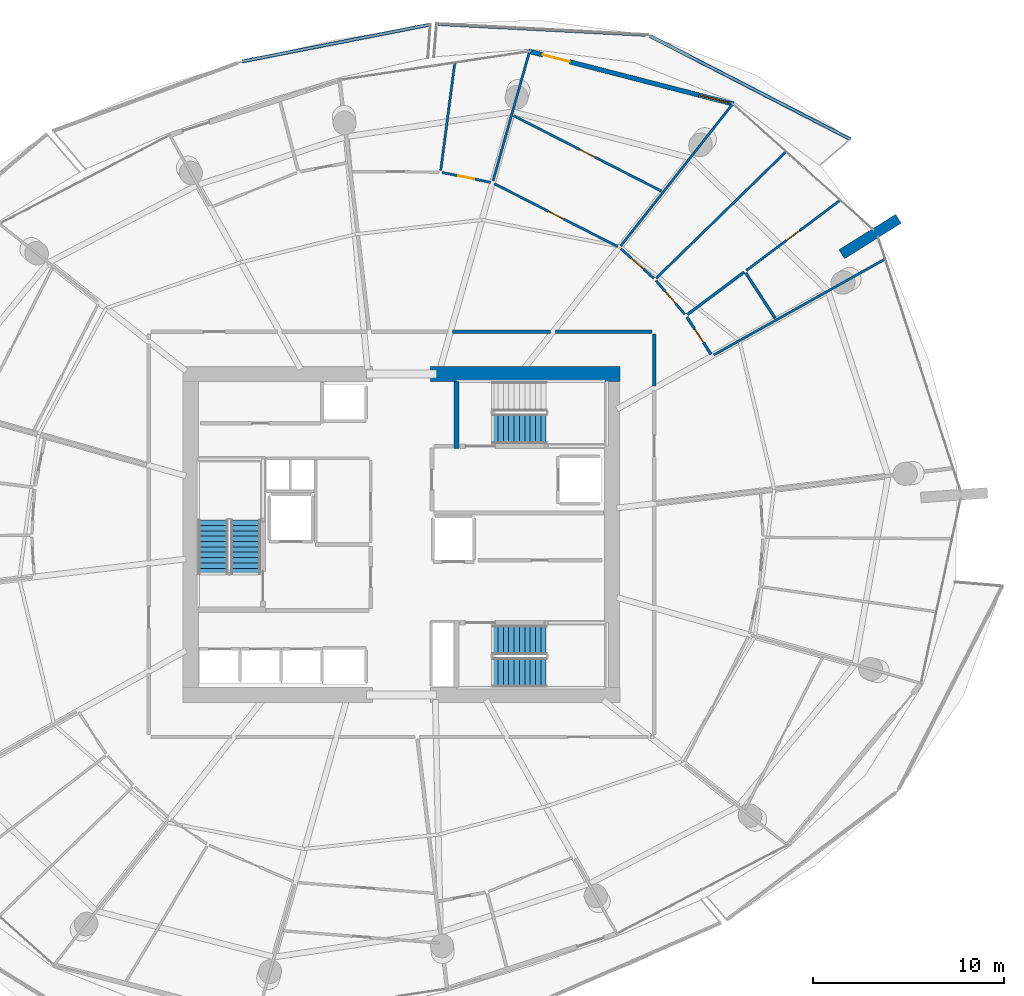
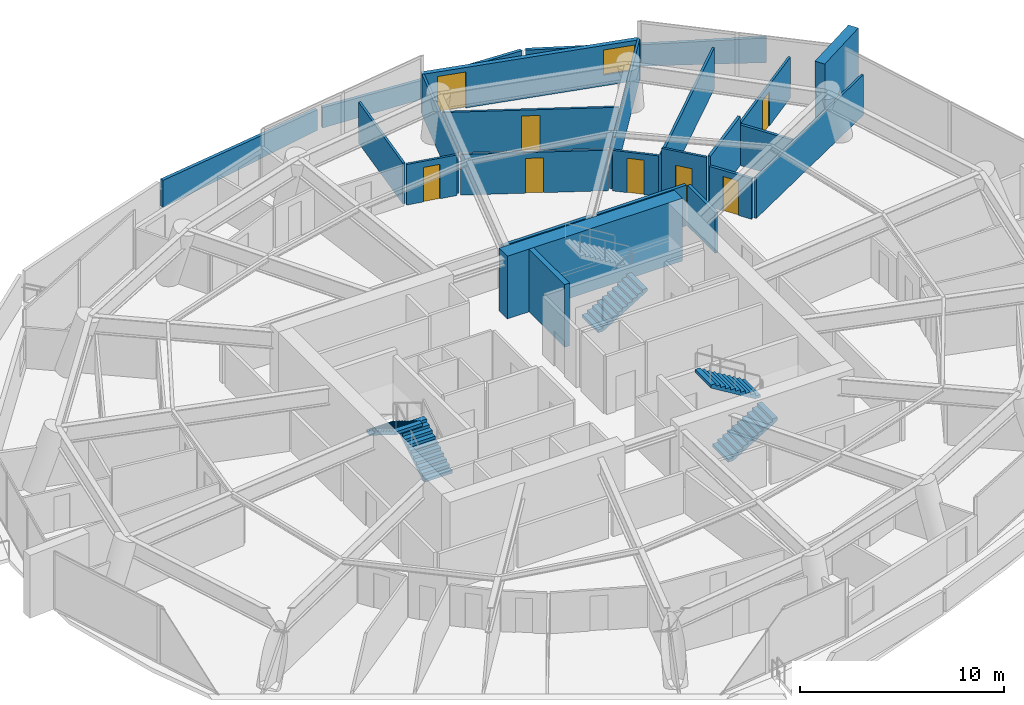
# One storey, part 15 of 23: 24 walls, 8 doors, 5 stair flights, 1 window, 9 openings, 3 elements without a shape of their own.
"""IFC4 building model written with IfcOpenShell, lengths in metres."""

from ifc_helpers import new_model, si_unit, direction, frame, frame_2d, origin, place, context, subcontext, project, spatial, polyline, rectangle, outline, extrude, material, layer, layer_set, type_object, element, fill, aggregate, save


model = new_model("IFC4")

# Units and contexts
model_context = context("Model", 3, precision=1e-05, world=origin(), true_north=direction((0.0, 1.0)))
body_context = subcontext(model_context, "Body", "Model", "MODEL_VIEW")
ifc_project = project(units=[si_unit("LENGTHUNIT", "METRE"), si_unit("AREAUNIT", "SQUARE_METRE"), si_unit("VOLUMEUNIT", "CUBIC_METRE"), si_unit("PLANEANGLEUNIT", "RADIAN"), si_unit("MASSUNIT", "GRAM", prefix="KILO")], contexts=[model_context])

# Site, building, storey
site_placement = place(None, origin())
site = spatial("IfcSite", under=ifc_project, at=site_placement, CompositionType="ELEMENT")
building_placement = place(site_placement, origin())
building = spatial("IfcBuilding", under=site, at=building_placement, Name="Kazma Halo Residences", CompositionType="ELEMENT")
storey_placement = place(building_placement, frame((0.0, 0.0, 112.64990234375)))
storey = spatial("IfcBuildingStorey", under=building, at=storey_placement, Name="L28", CompositionType="ELEMENT", Elevation=112.64990234375)

# Walls
ifc_material_1 = material(Name="White Concrete C50/60 Balustrade", Category="concrete")
ifc_layer_1 = layer(ifc_material_1, 0.179931640625)
ifc_layer_set_1 = layer_set([ifc_layer_1], Name="White Concrete C50/60 Balustrade")
wall_type_1 = type_object("IfcWallType", Name="WL-BAL-WAVE-180", PredefinedType="PARAPET", material=ifc_layer_set_1)
wall_1_placement = place(storey_placement, frame((71.92041015625, 62.68408203125, 0.0), z_axis=(0.0, 0.0, 1.0), x_axis=(-0.888984508261, 0.457937270892, 0.0)))
element("IfcWall", 1, at=wall_1_placement, inside=storey, type_object=wall_type_1, Name="L28 white wave balustrade wall NE.1", PredefinedType="PARAPET", context=body_context, shape_type="SweptSolid", body=[
    extrude(outline(polyline([(0.0, 0.0), (11.802978515625, 0.0), (11.802978515625, 1.148193359375), (5.901611328125, 1.2841796875), (0.0, 1.483154296875), (0.0, 0.0)])), frame((0.0, 0.08984375, 0.0), z_axis=(0.0, -1.0, 0.0), x_axis=(1.0, 0.0, 0.0)), (0.0, 0.0, 1.0), 0.179931640625),
])
wall_2_placement = place(storey_placement, frame((61.201416015625, 68.150390625, 0.0), z_axis=(0.0, 0.0, 1.0), x_axis=(-0.998637836961, 0.052177299569, 0.0)))
element("IfcWall", 2, at=wall_2_placement, inside=storey, type_object=wall_type_1, Name="L28 white wave balustrade wall NE.2", PredefinedType="PARAPET", context=body_context, shape_type="SweptSolid", body=[
    extrude(outline(polyline([(0.0, 0.0), (10.948974609375, 0.0), (10.94873046875, 1.22412109375), (5.474365234375, 1.127197265625), (0.0, 1.148193359375), (0.0, 0.0)])), frame((0.0, 0.08984375, 0.0), z_axis=(0.0, -1.0, 0.0), x_axis=(1.0, 0.0, 0.0)), (0.0, 0.0, 1.0), 0.179931640625),
])
wall_3_placement = place(storey_placement, frame((49.936279296875, 68.685546875, 0.0), z_axis=(0.0, 0.0, 1.0), x_axis=(-0.98127943736, -0.192589370979, 0.0)))
element("IfcWall", 3, at=wall_3_placement, inside=storey, type_object=wall_type_1, Name="L28 white wave balustrade wall NNW.1", PredefinedType="PARAPET", context=body_context, shape_type="SweptSolid", body=[
    extrude(outline(polyline([(0.0, 0.0), (10.041259765625, 0.0), (10.041259765625, 1.632080078125), (5.0205078125, 1.418212890625), (0.0, 1.233154296875), (0.0, 0.0)])), frame((0.0, 0.08984375, 0.0), z_axis=(0.0, -1.0, 0.0), x_axis=(1.0, 0.0, 0.0)), (0.0, 0.0, 1.0), 0.179931640625),
])
ifc_material_2 = material(Name="Pale Concrete C60/75", Category="concrete")
ifc_layer_2 = layer(ifc_material_2, 0.550048828125)
ifc_layer_set_2 = layer_set([ifc_layer_2], Name="Pale Concrete C60/75")
wall_type_2 = type_object("IfcWallType", Name="WL-BLADE-550", PredefinedType="SOLIDWALL", material=ifc_layer_set_2)
wall_4_placement = place(storey_placement, frame((71.468505859375, 56.664794921875, 0.0), z_axis=(0.0, 0.0, 1.0), x_axis=(0.848053161125, 0.529911158502, 0.0)))
element("IfcWall", 4, at=wall_4_placement, inside=storey, type_object=wall_type_2, Name="L28 pale concrete structural blade fin wall BW-01", PredefinedType="SOLIDWALL", context=body_context, shape_type="SweptSolid", body=[
    extrude(rectangle(XDim=3.5, YDim=0.550048828125, at=frame_2d((1.75, 0.0))), origin(), (0.0, 0.0, 1.0), 3.75),
])
ifc_material_3 = material(Name="Concrete C80/95", Category="concrete")
ifc_layer_3 = layer(ifc_material_3, 0.800048828125)
ifc_layer_set_3 = layer_set([ifc_layer_3], Name="Concrete C80/95")
wall_type_3 = type_object("IfcWallType", Name="WL-CORE-800", PredefinedType="SHEAR", material=ifc_layer_set_3)
wall_5_placement = place(storey_placement, frame((49.949951171875, 50.39990234375, 0.0), z_axis=(0.0, 0.0, 1.0), x_axis=(1.0, 0.0, 0.0)))
element("IfcWall", 5, at=wall_5_placement, inside=storey, type_object=wall_type_3, Name="L28 central core shear wall NE", PredefinedType="SHEAR", context=body_context, shape_type="SweptSolid", body=[
    extrude(rectangle(XDim=9.900146484375, YDim=0.800048828125, at=frame_2d((4.9501953125, 0.0))), origin(), (0.0, 0.0, 1.0), 3.75),
])
ifc_material_4 = material(Name="Concrete C60/75", Category="concrete")
ifc_layer_4 = layer(ifc_material_4, 0.280029296875)
ifc_layer_set_4 = layer_set([ifc_layer_4], Name="Concrete C60/75")
wall_type_4 = type_object("IfcWallType", Name="WL-CORE-ST-280", PredefinedType="SHEAR", material=ifc_layer_set_4)
wall_6_placement = place(storey_placement, frame((51.31005859375, 46.5, 0.0), z_axis=(0.0, 0.0, 1.0), x_axis=(0.0, 1.0, 0.0)))
element("IfcWall", 6, at=wall_6_placement, inside=storey, type_object=wall_type_4, Name="L28 stairwell bearing wall ST02-W", PredefinedType="SHEAR", context=body_context, shape_type="SweptSolid", body=[
    extrude(rectangle(XDim=3.5, YDim=0.280029296875, at=frame_2d((1.75, 0.0))), origin(), (0.0, 0.0, 1.0), 3.75),
])
ifc_material_5 = material(Name="Acoustic Twin-Stud Gypsum")
ifc_layer_5 = layer(ifc_material_5, 0.179931640625)
ifc_layer_set_5 = layer_set([ifc_layer_5], Name="Acoustic Twin-Stud Gypsum")
wall_type_5 = type_object("IfcWallType", Name="WL-DEM-180", PredefinedType="PARTITIONING", material=ifc_layer_set_5)
wall_7_placement = place(storey_placement, frame((61.64990234375, 49.764404296875, 0.0), z_axis=(0.0, 0.0, 1.0), x_axis=(0.0, 1.0, 0.0)))
element("IfcWall", 7, at=wall_7_placement, inside=storey, type_object=wall_type_5, Name="L28 Apartment 3 inner wall 0", PredefinedType="PARTITIONING", context=body_context, shape_type="SweptSolid", body=[
    extrude(rectangle(XDim=2.715576171875, YDim=0.179931640625, at=frame_2d((1.35791015625, 0.0))), origin(), (0.0, 0.0, 1.0), 2.427001953125),
])
wall_8_placement = place(storey_placement, frame((61.530029296875, 52.60009765625, 0.0), z_axis=(0.0, 0.0, 1.0), x_axis=(-1.0, 0.0, 0.0)))
element("IfcWall", 8, at=wall_8_placement, inside=storey, type_object=wall_type_5, Name="L28 Apartment 3 inner wall 0", PredefinedType="PARTITIONING", context=body_context, shape_type="SweptSolid", body=[
    extrude(rectangle(XDim=5.0537109375, YDim=0.179931640625, at=frame_2d((2.52685546875, 0.0))), origin(), (0.0, 0.0, 1.0), 2.427001953125),
])
wall_9_placement = place(storey_placement, frame((56.236328125, 52.60009765625, 0.0), z_axis=(0.0, 0.0, 1.0), x_axis=(-1.0, 0.0, 0.0)))
element("IfcWall", 9, at=wall_9_placement, inside=storey, type_object=wall_type_5, Name="L28 Apartment 3 inner wall 1", PredefinedType="PARTITIONING", context=body_context, shape_type="SweptSolid", body=[
    extrude(rectangle(XDim=5.126708984375, YDim=0.179931640625, at=frame_2d((2.5634765625, 0.0))), origin(), (0.0, 0.0, 1.0), 2.427001953125),
])

# Wall, openings, door, window
ifc_material_6 = material(Name="Insulated Pale-Metal Composite Wall")
ifc_layer_6 = layer(ifc_material_6, 0.239990234375)
ifc_layer_set_6 = layer_set([ifc_layer_6], Name="Insulated Pale-Metal Composite Wall")
wall_type_6 = type_object("IfcWallType", Name="WL-EXT-HOST-240", PredefinedType="SOLIDWALL", material=ifc_layer_set_6)
wall_10_placement = place(storey_placement, frame((65.81396484375, 64.52294921875, 0.0), z_axis=(0.0, 0.0, 1.0), x_axis=(-0.968356180858, 0.249572248045, 0.0)))
wall_10 = element("IfcWall", 10, at=wall_10_placement, inside=storey, type_object=wall_type_6, Name="L28 exterior terrace-access wall B02", PredefinedType="SOLIDWALL", context=body_context, shape_type="SweptSolid", body=[
    extrude(rectangle(XDim=11.08447265625, YDim=0.239990234375, at=frame_2d((5.542236328125, 0.0))), origin(), (0.0, 0.0, 1.0), 2.420166015625),
])
opening_1_placement = place(wall_10_placement, frame((8.864501953125, 0.0, 0.0)))
opening_1 = element("IfcOpeningElement", 11, at=opening_1_placement, cuts=wall_10, Name="Opening DTR-1600", PredefinedType="OPENING", context=body_context, shape_type="SweptSolid", body=[
    extrude(rectangle(XDim=1.449951171875, YDim=2.14990234375, at=frame_2d((0.72509765625, 1.074951171875))), frame((0.0, 0.1298828125, 0.0), z_axis=(0.0, -1.0, 0.0), x_axis=(1.0, 0.0, 0.0)), (0.0, 0.0, 1.0), 0.260009765625),
])
opening_2_placement = place(wall_10_placement, frame((0.280029296875, 0.0, 0.64990234375)))
opening_2 = element("IfcOpeningElement", 12, at=opening_2_placement, cuts=wall_10, Name="Opening W-1800", PredefinedType="OPENING", context=body_context, shape_type="SweptSolid", body=[
    extrude(rectangle(XDim=1.60009765625, YDim=1.5, at=frame_2d((0.800048828125, 0.75))), frame((0.0, 0.1298828125, 0.0), z_axis=(0.0, -1.0, 0.0), x_axis=(1.0, 0.0, 0.0)), (0.0, 0.0, 1.0), 0.260009765625),
])
ifc_material_7 = material(Name="Aluminium AW-6063 T6 Double-Glazed Terrace Door", Category="aluminium")
door_type_1 = type_object("IfcDoorType", Name="DR-EXT-TERR-1600", OperationType="NOTDEFINED", PredefinedType="DOOR", material=ifc_material_7)
door_1_placement = place(opening_1_placement, origin())
door_1 = element("IfcDoor", 13, at=door_1_placement, inside=storey, type_object=door_type_1, Name="L28 B02 balcony terrace door", OperationType="DOUBLE_DOOR_SLIDING", OverallHeight=2.14990234375, OverallWidth=1.449951171875, PredefinedType="DOOR", context=body_context, shape_type="SweptSolid", body=[
    extrude(rectangle(XDim=1.449951171875, YDim=2.14990234375, at=frame_2d((0.72509765625, 1.074951171875))), frame((0.0, 0.02490234375, 0.0), z_axis=(0.0, -1.0, 0.0), x_axis=(1.0, 0.0, 0.0)), (0.0, 0.0, 1.0), 0.050048828125),
])
fill(opening_1, door_1)
ifc_material_8 = material(Name="Clear Triple-Silver Low-E Glass in Aluminium AW-6063 T6 Frame", Category="aluminium")
window_type = type_object("IfcWindowType", Name="WIN-RES-1800", PartitioningType="DOUBLE_PANEL_VERTICAL", PredefinedType="WINDOW", material=ifc_material_8)
window_placement = place(opening_2_placement, origin())
window = element("IfcWindow", 14, at=window_placement, inside=storey, type_object=window_type, Name="L28 B02 apartment window", OverallHeight=1.5, OverallWidth=1.60009765625, PartitioningType="SINGLE_PANEL", PredefinedType="WINDOW", context=body_context, shape_type="SweptSolid", body=[
    extrude(rectangle(XDim=1.60009765625, YDim=1.5, at=frame_2d((0.800048828125, 0.75))), frame((0.0, 0.030029296875, 0.0), z_axis=(0.0, -1.0, 0.0), x_axis=(1.0, 0.0, 0.0)), (0.0, 0.0, 1.0), 0.06005859375),
])
fill(opening_2, window)

# Wall
ifc_material_9 = material(Name="Gypsum Plasterboard Partition")
ifc_layer_7 = layer(ifc_material_9, 0.125)
ifc_layer_set_7 = layer_set([ifc_layer_7], Name="Gypsum Plasterboard Partition")
wall_type_7 = type_object("IfcWallType", Name="WL-PART-125", PredefinedType="PARTITIONING", material=ifc_layer_set_7)
wall_11_placement = place(storey_placement, frame((64.77099609375, 51.392333984375, 0.0), z_axis=(0.0, 0.0, 1.0), x_axis=(0.87250073965, 0.488612790776, 0.0)))
element("IfcWall", 15, at=wall_11_placement, inside=storey, type_object=wall_type_7, Name="L28 Apartment 3 radial partition 0", PredefinedType="PARTITIONING", context=body_context, shape_type="SweptSolid", body=[
    extrude(rectangle(XDim=10.257568359375, YDim=0.125, at=frame_2d((5.12890625, 0.0))), origin(), (0.0, 0.0, 1.0), 2.427001953125),
])

# Wall, opening, door
wall_12_placement = place(storey_placement, frame((66.469482421875, 55.810791015625, 0.0), z_axis=(0.0, 0.0, 1.0), x_axis=(0.800865829072, 0.598843822566, 0.0)))
wall_12 = element("IfcWall", 16, at=wall_12_placement, inside=storey, type_object=wall_type_7, Name="L28 Apartment 3 Household Store Room partition wall", PredefinedType="PARTITIONING", context=body_context, shape_type="SweptSolid", body=[
    extrude(rectangle(XDim=6.11865234375, YDim=0.125, at=frame_2d((3.059326171875, 0.0))), origin(), (0.0, 0.0, 1.0), 2.445068359375),
])
opening_3_placement = place(wall_12_placement, frame((2.63427734375, 0.0, 0.0)))
opening_3 = element("IfcOpeningElement", 17, at=opening_3_placement, cuts=wall_12, Name="Opening DB-900", PredefinedType="OPENING", context=body_context, shape_type="SweptSolid", body=[
    extrude(rectangle(XDim=0.85009765625, YDim=2.06005859375, at=frame_2d((0.425048828125, 1.030029296875))), frame((0.0, 0.072509765625, 0.0), z_axis=(0.0, -1.0, 0.0), x_axis=(1.0, 0.0, 0.0)), (0.0, 0.0, 1.0), 0.14501953125),
])
ifc_material_10 = material(Name="Moisture-Sealed Timber Leaf", Category="wood")
door_type_2 = type_object("IfcDoorType", Name="DR-BTH-900", OperationType="NOTDEFINED", PredefinedType="DOOR", material=ifc_material_10)
door_2_placement = place(opening_3_placement, origin())
door_2 = element("IfcDoor", 18, at=door_2_placement, inside=storey, type_object=door_type_2, Name="L28 Apartment 3 Household Store Room door", OperationType="SINGLE_SWING_RIGHT", OverallHeight=2.06005859375, OverallWidth=0.85009765625, PredefinedType="DOOR", context=body_context, shape_type="SweptSolid", body=[
    extrude(rectangle(XDim=0.85009765625, YDim=2.06005859375, at=frame_2d((0.425048828125, 1.030029296875))), frame((0.0, 0.02490234375, 0.0), z_axis=(0.0, -1.0, 0.0), x_axis=(1.0, 0.0, 0.0)), (0.0, 0.0, 1.0), 0.050048828125),
])
fill(opening_3, door_2)

# Wall
wall_13_placement = place(storey_placement, frame((61.757080078125, 55.410400390625, 0.0), z_axis=(0.0, 0.0, 1.0), x_axis=(0.716076846126, 0.698021454141, 0.0)))
element("IfcWall", 19, at=wall_13_placement, inside=storey, type_object=wall_type_7, Name="L28 Apartment 3 suite divider 0", PredefinedType="PARTITIONING", context=body_context, shape_type="SweptSolid", body=[
    extrude(rectangle(XDim=9.46533203125, YDim=0.125, at=frame_2d((4.732666015625, 0.0))), origin(), (0.0, 0.0, 1.0), 2.445068359375),
])

# Wall, opening, door
wall_14_placement = place(storey_placement, frame((63.255615234375, 53.51953125, 0.0), z_axis=(0.0, 0.0, 1.0), x_axis=(-0.64977038507, 0.760130545818, 0.0)))
wall_14 = element("IfcWall", 20, at=wall_14_placement, inside=storey, type_object=wall_type_7, Name="L28 Apartment 3 Gourmet Kitchen hall wall", PredefinedType="PARTITIONING", context=body_context, shape_type="SweptSolid", body=[
    extrude(rectangle(XDim=2.324951171875, YDim=0.125, at=frame_2d((1.16259765625, 0.0))), origin(), (0.0, 0.0, 1.0), 2.91015625),
])
opening_4_placement = place(wall_14_placement, frame((0.737548828125, 0.0, 0.0)))
opening_4 = element("IfcOpeningElement", 21, at=opening_4_placement, cuts=wall_14, Name="Opening DB-900", PredefinedType="OPENING", context=body_context, shape_type="SweptSolid", body=[
    extrude(rectangle(XDim=0.85009765625, YDim=2.06005859375, at=frame_2d((0.425048828125, 1.030029296875))), frame((0.0, 0.072509765625, 0.0), z_axis=(0.0, -1.0, 0.0), x_axis=(1.0, 0.0, 0.0)), (0.0, 0.0, 1.0), 0.14501953125),
])
door_3_placement = place(opening_4_placement, origin())
door_3 = element("IfcDoor", 22, at=door_3_placement, inside=storey, type_object=door_type_2, Name="L28 Apartment 3 Gourmet Kitchen door", OperationType="SINGLE_SWING_LEFT", OverallHeight=2.06005859375, OverallWidth=0.85009765625, PredefinedType="DOOR", context=body_context, shape_type="SweptSolid", body=[
    extrude(rectangle(XDim=0.85009765625, YDim=2.06005859375, at=frame_2d((0.425048828125, 1.030029296875))), frame((0.0, 0.02490234375, 0.0), z_axis=(0.0, -1.0, 0.0), x_axis=(1.0, 0.0, 0.0)), (0.0, 0.0, 1.0), 0.050048828125),
])
fill(opening_4, door_3)

wall_15_placement = place(storey_placement, frame((61.63330078125, 55.401123046875, 0.0), z_axis=(0.0, 0.0, 1.0), x_axis=(-0.743252195533, 0.669011340588, 0.0)))
wall_15 = element("IfcWall", 23, at=wall_15_placement, inside=storey, type_object=wall_type_7, Name="L28 Apartment 3 Primary Bedroom hall wall", PredefinedType="PARTITIONING", context=body_context, shape_type="SweptSolid", body=[
    extrude(rectangle(XDim=2.315185546875, YDim=0.125, at=frame_2d((1.15771484375, 0.0))), origin(), (0.0, 0.0, 1.0), 2.427001953125),
])
opening_5_placement = place(wall_15_placement, frame((0.732421875, 0.0, 0.0)))
opening_5 = element("IfcOpeningElement", 24, at=opening_5_placement, cuts=wall_15, Name="Opening DB-900", PredefinedType="OPENING", context=body_context, shape_type="SweptSolid", body=[
    extrude(rectangle(XDim=0.85009765625, YDim=2.06005859375, at=frame_2d((0.425048828125, 1.030029296875))), frame((0.0, 0.072509765625, 0.0), z_axis=(0.0, -1.0, 0.0), x_axis=(1.0, 0.0, 0.0)), (0.0, 0.0, 1.0), 0.14501953125),
])
door_4_placement = place(opening_5_placement, origin())
door_4 = element("IfcDoor", 25, at=door_4_placement, inside=storey, type_object=door_type_2, Name="L28 Apartment 3 Primary Bedroom door", OperationType="SINGLE_SWING_RIGHT", OverallHeight=2.06005859375, OverallWidth=0.85009765625, PredefinedType="DOOR", context=body_context, shape_type="SweptSolid", body=[
    extrude(rectangle(XDim=0.85009765625, YDim=2.06005859375, at=frame_2d((0.425048828125, 1.030029296875))), frame((0.0, 0.02490234375, 0.0), z_axis=(0.0, -1.0, 0.0), x_axis=(1.0, 0.0, 0.0)), (0.0, 0.0, 1.0), 0.050048828125),
])
fill(opening_5, door_4)

# Wall
wall_16_placement = place(storey_placement, frame((59.900146484375, 57.09521484375, 0.0), z_axis=(0.0, 0.0, 1.0), x_axis=(0.619086206282, 0.78532303493, 0.0)))
element("IfcWall", 26, at=wall_16_placement, inside=storey, type_object=wall_type_7, Name="L28 Apartment 3 radial partition 1", PredefinedType="PARTITIONING", context=body_context, shape_type="SweptSolid", body=[
    extrude(rectangle(XDim=9.44921875, YDim=0.125, at=frame_2d((4.724609375, 0.0))), origin(), (0.0, 0.0, 1.0), 2.427001953125),
])

# Wall, opening, door
wall_17_placement = place(storey_placement, frame((59.740234375, 57.066650390625, 0.0), z_axis=(0.0, 0.0, 1.0), x_axis=(-0.890989059737, 0.454024774026, 0.0)))
wall_17 = element("IfcWall", 27, at=wall_17_placement, inside=storey, type_object=wall_type_7, Name="L28 Apartment 3 Primary Study hall wall", PredefinedType="PARTITIONING", context=body_context, shape_type="SweptSolid", body=[
    extrude(rectangle(XDim=7.240966796875, YDim=0.125, at=frame_2d((3.62060546875, 0.0))), origin(), (0.0, 0.0, 1.0), 2.427001953125),
])
opening_6_placement = place(wall_17_placement, frame((3.17041015625, 0.0, 0.0)))
opening_6 = element("IfcOpeningElement", 28, at=opening_6_placement, cuts=wall_17, Name="Opening DI-950", PredefinedType="OPENING", context=body_context, shape_type="SweptSolid", body=[
    extrude(rectangle(XDim=0.89990234375, YDim=2.080078125, at=frame_2d((0.449951171875, 1.0400390625))), frame((0.0, 0.072509765625, 0.0), z_axis=(0.0, -1.0, 0.0), x_axis=(1.0, 0.0, 0.0)), (0.0, 0.0, 1.0), 0.14501953125),
])
ifc_material_11 = material(Name="Timber Veneer Flush Leaf", Category="wood")
door_type_3 = type_object("IfcDoorType", Name="DR-INT-950", OperationType="NOTDEFINED", PredefinedType="DOOR", material=ifc_material_11)
door_5_placement = place(opening_6_placement, origin())
door_5 = element("IfcDoor", 29, at=door_5_placement, inside=storey, type_object=door_type_3, Name="L28 Apartment 3 Primary Study door", OperationType="SINGLE_SWING_RIGHT", OverallHeight=2.080078125, OverallWidth=0.89990234375, PredefinedType="DOOR", context=body_context, shape_type="SweptSolid", body=[
    extrude(rectangle(XDim=0.89990234375, YDim=2.080078125, at=frame_2d((0.449951171875, 1.0400390625))), frame((0.0, 0.02490234375, 0.0), z_axis=(0.0, -1.0, 0.0), x_axis=(1.0, 0.0, 0.0)), (0.0, 0.0, 1.0), 0.050048828125),
])
fill(opening_6, door_5)

wall_18_placement = place(storey_placement, frame((62.02978515625, 59.970703125, 0.0), z_axis=(0.0, 0.0, 1.0), x_axis=(-0.890999587891, 0.454004112733, 0.0)))
wall_18 = element("IfcWall", 30, at=wall_18_placement, inside=storey, type_object=wall_type_7, Name="L28 Apartment 3 Secondary Master Bedroom divider wall", PredefinedType="PARTITIONING", context=body_context, shape_type="SweptSolid", body=[
    extrude(rectangle(XDim=8.68408203125, YDim=0.125, at=frame_2d((4.342041015625, 0.0))), origin(), (0.0, 0.0, 1.0), 2.427001953125),
])
opening_7_placement = place(wall_18_placement, frame((3.89208984375, 0.0, 0.0)))
opening_7 = element("IfcOpeningElement", 31, at=opening_7_placement, cuts=wall_18, Name="Opening DI-950", PredefinedType="OPENING", context=body_context, shape_type="SweptSolid", body=[
    extrude(rectangle(XDim=0.89990234375, YDim=2.080078125, at=frame_2d((0.449951171875, 1.0400390625))), frame((0.0, 0.072509765625, 0.0), z_axis=(0.0, -1.0, 0.0), x_axis=(1.0, 0.0, 0.0)), (0.0, 0.0, 1.0), 0.14501953125),
])
door_6_placement = place(opening_7_placement, origin())
door_6 = element("IfcDoor", 32, at=door_6_placement, inside=storey, type_object=door_type_3, Name="L28 Apartment 3 Secondary Master Bedroom door", OperationType="SINGLE_SWING_LEFT", OverallHeight=2.080078125, OverallWidth=0.89990234375, PredefinedType="DOOR", context=body_context, shape_type="SweptSolid", body=[
    extrude(rectangle(XDim=0.89990234375, YDim=2.080078125, at=frame_2d((0.449951171875, 1.0400390625))), frame((0.0, 0.02490234375, 0.0), z_axis=(0.0, -1.0, 0.0), x_axis=(1.0, 0.0, 0.0)), (0.0, 0.0, 1.0), 0.050048828125),
])
fill(opening_7, door_6)

# Walls
wall_19_placement = place(storey_placement, frame((53.217529296875, 60.500244140625, 0.0), z_axis=(0.0, 0.0, 1.0), x_axis=(0.271465195742, 0.962448257051, 0.0)))
element("IfcWall", 33, at=wall_19_placement, inside=storey, type_object=wall_type_7, Name="L28 Apartment 3 radial partition 2", PredefinedType="PARTITIONING", context=body_context, shape_type="SweptSolid", body=[
    extrude(rectangle(XDim=6.916015625, YDim=0.125, at=frame_2d((3.4580078125, 0.0))), origin(), (0.0, 0.0, 1.0), 2.427001953125),
])
wall_20_placement = place(storey_placement, frame((50.482666015625, 61.05078125, 0.0), z_axis=(0.0, 0.0, 1.0), x_axis=(0.129219331313, 0.991616036788, 0.0)))
element("IfcWall", 34, at=wall_20_placement, inside=storey, type_object=wall_type_7, Name="L28 Apartment 3 mid-bay wall 2", PredefinedType="PARTITIONING", context=body_context, shape_type="SweptSolid", body=[
    extrude(rectangle(XDim=5.660400390625, YDim=0.125, at=frame_2d((2.830078125, 0.0))), origin(), (0.0, 0.0, 1.0), 2.445068359375),
])

# Wall, opening, door
wall_21_placement = place(storey_placement, frame((53.092529296875, 60.42431640625, 0.0), z_axis=(0.0, 0.0, 1.0), x_axis=(-0.97963259615, 0.200798348001, 0.0)))
wall_21 = element("IfcWall", 35, at=wall_21_placement, inside=storey, type_object=wall_type_7, Name="L28 Apartment 3 East Private Study hall wall", PredefinedType="PARTITIONING", context=body_context, shape_type="SweptSolid", body=[
    extrude(rectangle(XDim=2.595947265625, YDim=0.125, at=frame_2d((1.2978515625, 0.0))), origin(), (0.0, 0.0, 1.0), 2.427001953125),
])
opening_8_placement = place(wall_21_placement, frame((0.873046875, 0.0, 0.0)))
opening_8 = element("IfcOpeningElement", 36, at=opening_8_placement, cuts=wall_21, Name="Opening DB-900", PredefinedType="OPENING", context=body_context, shape_type="SweptSolid", body=[
    extrude(rectangle(XDim=0.85009765625, YDim=2.06005859375, at=frame_2d((0.425048828125, 1.030029296875))), frame((0.0, 0.072509765625, 0.0), z_axis=(0.0, -1.0, 0.0), x_axis=(1.0, 0.0, 0.0)), (0.0, 0.0, 1.0), 0.14501953125),
])
door_7_placement = place(opening_8_placement, origin())
door_7 = element("IfcDoor", 37, at=door_7_placement, inside=storey, type_object=door_type_2, Name="L28 Apartment 3 East Private Study door", OperationType="SINGLE_SWING_LEFT", OverallHeight=2.06005859375, OverallWidth=0.85009765625, PredefinedType="DOOR", context=body_context, shape_type="SweptSolid", body=[
    extrude(rectangle(XDim=0.85009765625, YDim=2.06005859375, at=frame_2d((0.425048828125, 1.030029296875))), frame((0.0, 0.02490234375, 0.0), z_axis=(0.0, -1.0, 0.0), x_axis=(1.0, 0.0, 0.0)), (0.0, 0.0, 1.0), 0.050048828125),
])
fill(opening_8, door_7)

ifc_material_12 = material(Name="Moisture-Resistant Gypsum")
ifc_layer_8 = layer(ifc_material_12, 0.14990234375)
ifc_layer_set_8 = layer_set([ifc_layer_8], Name="Moisture-Resistant Gypsum")
wall_type_8 = type_object("IfcWallType", Name="WL-WET-150", PredefinedType="PARTITIONING", material=ifc_layer_set_8)
wall_22_placement = place(storey_placement, frame((64.62939453125, 51.42724609375, 0.0), z_axis=(0.0, 0.0, 1.0), x_axis=(-0.544940343893, 0.838474818702, 0.0)))
wall_22 = element("IfcWall", 38, at=wall_22_placement, inside=storey, type_object=wall_type_8, Name="L28 Apartment 3 Guest Bathroom hall wall", PredefinedType="PARTITIONING", context=body_context, shape_type="SweptSolid", body=[
    extrude(rectangle(XDim=2.32373046875, YDim=0.14990234375, at=frame_2d((1.161865234375, 0.0))), origin(), (0.0, 0.0, 1.0), 2.427001953125),
])
opening_9_placement = place(wall_22_placement, frame((0.73681640625, 0.0, 0.0)))
opening_9 = element("IfcOpeningElement", 39, at=opening_9_placement, cuts=wall_22, Name="Opening DB-900", PredefinedType="OPENING", context=body_context, shape_type="SweptSolid", body=[
    extrude(rectangle(XDim=0.85009765625, YDim=2.06005859375, at=frame_2d((0.425048828125, 1.030029296875))), frame((0.0, 0.0849609375, 0.0), z_axis=(0.0, -1.0, 0.0), x_axis=(1.0, 0.0, 0.0)), (0.0, 0.0, 1.0), 0.169921875),
])
door_8_placement = place(opening_9_placement, origin())
door_8 = element("IfcDoor", 40, at=door_8_placement, inside=storey, type_object=door_type_2, Name="L28 Apartment 3 Guest Bathroom door", OperationType="SINGLE_SWING_LEFT", OverallHeight=2.06005859375, OverallWidth=0.85009765625, PredefinedType="DOOR", context=body_context, shape_type="SweptSolid", body=[
    extrude(rectangle(XDim=0.85009765625, YDim=2.06005859375, at=frame_2d((0.425048828125, 1.030029296875))), frame((0.0, 0.02490234375, 0.0), z_axis=(0.0, -1.0, 0.0), x_axis=(1.0, 0.0, 0.0)), (0.0, 0.0, 1.0), 0.050048828125),
])
fill(opening_9, door_8)

# Walls
wall_23_placement = place(storey_placement, frame((67.988525390625, 53.308349609375, 0.0), z_axis=(0.0, 0.0, 1.0), x_axis=(-0.54492770686, 0.838483031609, 0.0)))
element("IfcWall", 41, at=wall_23_placement, inside=storey, type_object=wall_type_8, Name="L28 Apartment 3 Guest Bathroom back wall", PredefinedType="PARTITIONING", context=body_context, shape_type="SweptSolid", body=[
    extrude(rectangle(XDim=2.830078125, YDim=0.14990234375, at=frame_2d((1.4150390625, 0.0))), origin(), (0.0, 0.0, 1.0), 2.427001953125),
])
wall_24_placement = place(storey_placement, frame((63.38623046875, 53.505126953125, 0.0), z_axis=(0.0, 0.0, 1.0), x_axis=(0.800857594538, 0.59885483489, 0.0)))
element("IfcWall", 42, at=wall_24_placement, inside=storey, type_object=wall_type_8, Name="L28 Apartment 3 Guest Bathroom side wall", PredefinedType="PARTITIONING", context=body_context, shape_type="SweptSolid", body=[
    extrude(rectangle(XDim=3.719970703125, YDim=0.14990234375, at=frame_2d((1.85986328125, 0.0))), origin(), (0.0, 0.0, 1.0), 2.91015625),
])

# Stair, stair flights
ifc_material_13 = material(Name="Concrete C50/60", Category="concrete")
stair_type = type_object("IfcStairType", Name="STR-RES1", PredefinedType="HALF_TURN_STAIR", material=ifc_material_13)
stair_1_placement = place(storey_placement, origin())
stair_1 = element("IfcStair", 43, at=stair_1_placement, inside=storey, type_object=stair_type, Name="L28 Core exit stair ST-01", PredefinedType="HALF_TURN_STAIR")
stair_flight_type = type_object("IfcStairFlightType", Name="STR-RES1-FLT", PredefinedType="STRAIGHT", material=ifc_material_13)
stair_flight_1_placement = place(storey_placement, frame((40.27490234375, 39.949951171875, 0.0), z_axis=(0.0, 0.0, 1.0), x_axis=(0.0, 1.0, 0.0)))
stair_flight_1 = element("IfcStairFlight", 44, at=stair_flight_1_placement, type_object=stair_flight_type, Name="ST-01 flight 1", NumberOfRisers=11, NumberOfTreads=10, PredefinedType="STRAIGHT", RiserHeight=0.170454545, TreadLength=0.28, context=body_context, shape_type="SweptSolid", body=[
    extrude(outline(polyline([(0.0, 0.0), (0.0, 0.17041015625), (0.280029296875, 0.17041015625), (0.280029296875, 0.3408203125), (0.56005859375, 0.3408203125), (0.56005859375, 0.511474609375), (0.840087890625, 0.511474609375), (0.840087890625, 0.681884765625), (1.1201171875, 0.681884765625), (1.1201171875, 0.852294921875), (1.39990234375, 0.852294921875), (1.39990234375, 1.022705078125), (1.679931640625, 1.022705078125), (1.679931640625, 1.193115234375), (1.9599609375, 1.193115234375), (1.9599609375, 1.363525390625), (2.239990234375, 1.363525390625), (2.239990234375, 1.5341796875), (2.52001953125, 1.5341796875), (2.52001953125, 1.70458984375), (2.800048828125, 1.70458984375), (2.800048828125, 1.875), (2.800048828125, 1.529052734375), (0.288330078125, 0.0), (0.0, 0.0)])), frame((0.0, 0.77490234375, 0.0), z_axis=(0.0, -1.0, 0.0), x_axis=(1.0, 0.0, 0.0)), (0.0, 0.0, 1.0), 1.550048828125),
])
stair_flight_2_placement = place(storey_placement, frame((38.574951171875, 42.75, 1.875), z_axis=(0.0, 0.0, 1.0), x_axis=(0.0, -1.0, 0.0)))
stair_flight_2 = element("IfcStairFlight", 45, at=stair_flight_2_placement, type_object=stair_flight_type, Name="ST-01 flight 2", NumberOfRisers=11, NumberOfTreads=10, PredefinedType="STRAIGHT", RiserHeight=0.170454545, TreadLength=0.28, context=body_context, shape_type="SweptSolid", body=[
    extrude(outline(polyline([(0.0, 0.0), (0.0, 0.17041015625), (0.280029296875, 0.17041015625), (0.280029296875, 0.3408203125), (0.56005859375, 0.3408203125), (0.56005859375, 0.511474609375), (0.840087890625, 0.511474609375), (0.840087890625, 0.681884765625), (1.1201171875, 0.681884765625), (1.1201171875, 0.852294921875), (1.39990234375, 0.852294921875), (1.39990234375, 1.022705078125), (1.679931640625, 1.022705078125), (1.679931640625, 1.193115234375), (1.9599609375, 1.193115234375), (1.9599609375, 1.363525390625), (2.239990234375, 1.363525390625), (2.239990234375, 1.5341796875), (2.52001953125, 1.5341796875), (2.52001953125, 1.70458984375), (2.800048828125, 1.70458984375), (2.800048828125, 1.875), (2.800048828125, 1.529052734375), (0.288330078125, 0.0), (0.0, 0.0)])), frame((0.0, 0.77490234375, 0.0), z_axis=(0.0, -1.0, 0.0), x_axis=(1.0, 0.0, 0.0)), (0.0, 0.0, 1.0), 1.550048828125),
])
aggregate(stair_1, [stair_flight_1, stair_flight_2])

# Stair, stair flight
stair_2_placement = place(storey_placement, origin())
stair_2 = element("IfcStair", 46, at=stair_2_placement, inside=storey, type_object=stair_type, Name="L28 Core exit stair ST-02", PredefinedType="HALF_TURN_STAIR")
stair_flight_3_placement = place(storey_placement, frame((53.199951171875, 47.52490234375, 0.0), z_axis=(0.0, 0.0, 1.0), x_axis=(1.0, 0.0, 0.0)))
stair_flight_3 = element("IfcStairFlight", 47, at=stair_flight_3_placement, type_object=stair_flight_type, Name="ST-02 flight 1", NumberOfRisers=11, NumberOfTreads=10, PredefinedType="STRAIGHT", RiserHeight=0.170454545, TreadLength=0.28, context=body_context, shape_type="SweptSolid", body=[
    extrude(outline(polyline([(0.0, 0.0), (0.0, 0.17041015625), (0.280029296875, 0.17041015625), (0.280029296875, 0.3408203125), (0.56005859375, 0.3408203125), (0.56005859375, 0.511474609375), (0.840087890625, 0.511474609375), (0.840087890625, 0.681884765625), (1.1201171875, 0.681884765625), (1.1201171875, 0.852294921875), (1.39990234375, 0.852294921875), (1.39990234375, 1.022705078125), (1.679931640625, 1.022705078125), (1.679931640625, 1.193115234375), (1.9599609375, 1.193115234375), (1.9599609375, 1.363525390625), (2.239990234375, 1.363525390625), (2.239990234375, 1.5341796875), (2.52001953125, 1.5341796875), (2.52001953125, 1.70458984375), (2.800048828125, 1.70458984375), (2.800048828125, 1.875), (2.800048828125, 1.529052734375), (0.288330078125, 0.0), (0.0, 0.0)])), frame((0.0, 0.77490234375, 0.0), z_axis=(0.0, -1.0, 0.0), x_axis=(1.0, 0.0, 0.0)), (0.0, 0.0, 1.0), 1.550048828125),
])
aggregate(stair_2, [stair_flight_3])

# Stair, stair flights
stair_3_placement = place(storey_placement, origin())
stair_3 = element("IfcStair", 48, at=stair_3_placement, inside=storey, type_object=stair_type, Name="L28 Core exit stair ST-03", PredefinedType="HALF_TURN_STAIR")
stair_flight_4_placement = place(storey_placement, frame((53.199951171875, 34.77490234375, 0.0), z_axis=(0.0, 0.0, 1.0), x_axis=(1.0, 0.0, 0.0)))
stair_flight_4 = element("IfcStairFlight", 49, at=stair_flight_4_placement, type_object=stair_flight_type, Name="ST-03 flight 1", NumberOfRisers=11, NumberOfTreads=10, PredefinedType="STRAIGHT", RiserHeight=0.170454545, TreadLength=0.28, context=body_context, shape_type="SweptSolid", body=[
    extrude(outline(polyline([(0.0, 0.0), (0.0, 0.17041015625), (0.280029296875, 0.17041015625), (0.280029296875, 0.3408203125), (0.56005859375, 0.3408203125), (0.56005859375, 0.511474609375), (0.840087890625, 0.511474609375), (0.840087890625, 0.681884765625), (1.1201171875, 0.681884765625), (1.1201171875, 0.852294921875), (1.39990234375, 0.852294921875), (1.39990234375, 1.022705078125), (1.679931640625, 1.022705078125), (1.679931640625, 1.193115234375), (1.9599609375, 1.193115234375), (1.9599609375, 1.363525390625), (2.239990234375, 1.363525390625), (2.239990234375, 1.5341796875), (2.52001953125, 1.5341796875), (2.52001953125, 1.70458984375), (2.800048828125, 1.70458984375), (2.800048828125, 1.875), (2.800048828125, 1.529052734375), (0.288330078125, 0.0), (0.0, 0.0)])), frame((0.0, 0.77490234375, 0.0), z_axis=(0.0, -1.0, 0.0), x_axis=(1.0, 0.0, 0.0)), (0.0, 0.0, 1.0), 1.550048828125),
])
stair_flight_5_placement = place(storey_placement, frame((56.0, 36.47509765625, 1.875), z_axis=(0.0, 0.0, 1.0), x_axis=(-1.0, 0.0, 0.0)))
stair_flight_5 = element("IfcStairFlight", 50, at=stair_flight_5_placement, type_object=stair_flight_type, Name="ST-03 flight 2", NumberOfRisers=11, NumberOfTreads=10, PredefinedType="STRAIGHT", RiserHeight=0.170454545, TreadLength=0.28, context=body_context, shape_type="SweptSolid", body=[
    extrude(outline(polyline([(0.0, 0.0), (0.0, 0.17041015625), (0.280029296875, 0.17041015625), (0.280029296875, 0.3408203125), (0.56005859375, 0.3408203125), (0.56005859375, 0.511474609375), (0.840087890625, 0.511474609375), (0.840087890625, 0.681884765625), (1.1201171875, 0.681884765625), (1.1201171875, 0.852294921875), (1.39990234375, 0.852294921875), (1.39990234375, 1.022705078125), (1.679931640625, 1.022705078125), (1.679931640625, 1.193115234375), (1.9599609375, 1.193115234375), (1.9599609375, 1.363525390625), (2.239990234375, 1.363525390625), (2.239990234375, 1.5341796875), (2.52001953125, 1.5341796875), (2.52001953125, 1.70458984375), (2.800048828125, 1.70458984375), (2.800048828125, 1.875), (2.800048828125, 1.529052734375), (0.288330078125, 0.0), (0.0, 0.0)])), frame((0.0, 0.77490234375, 0.0), z_axis=(0.0, -1.0, 0.0), x_axis=(1.0, 0.0, 0.0)), (0.0, 0.0, 1.0), 1.550048828125),
])
aggregate(stair_3, [stair_flight_4, stair_flight_5])

save(model, "model.ifc")
